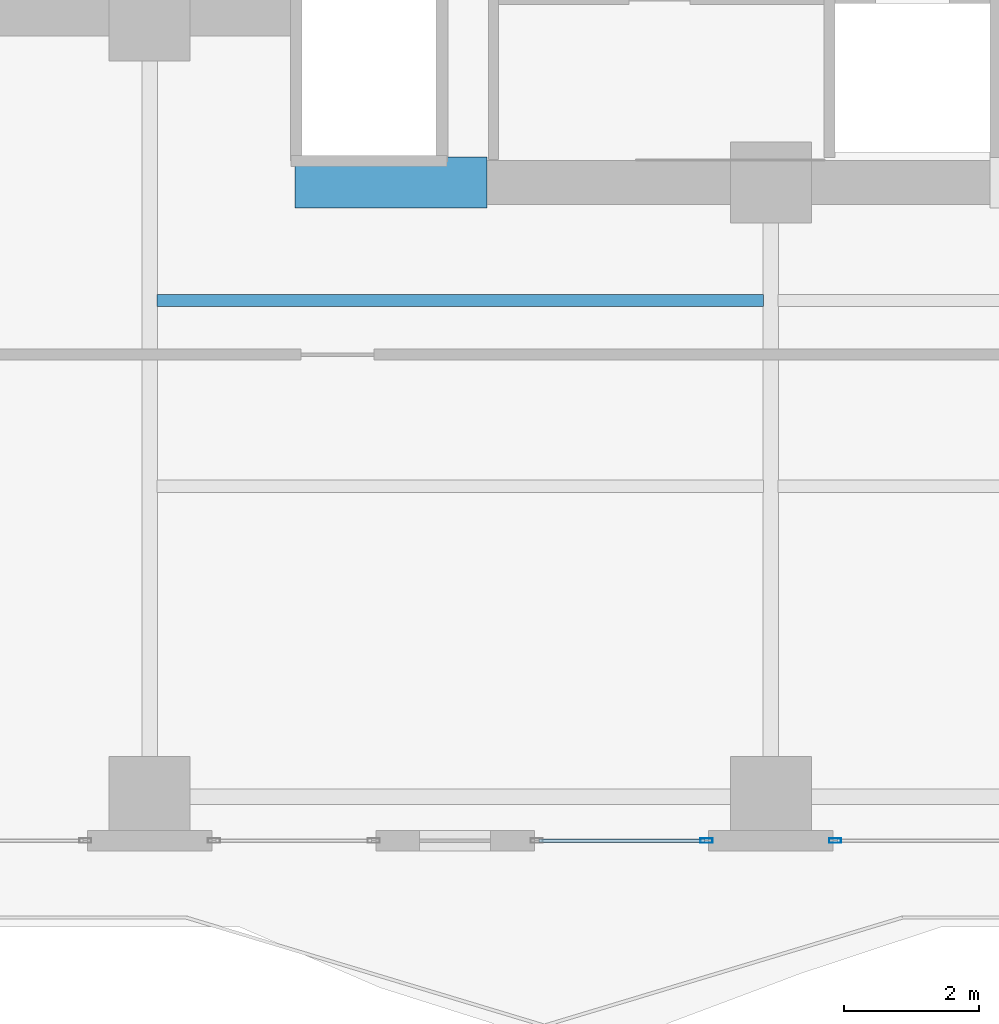
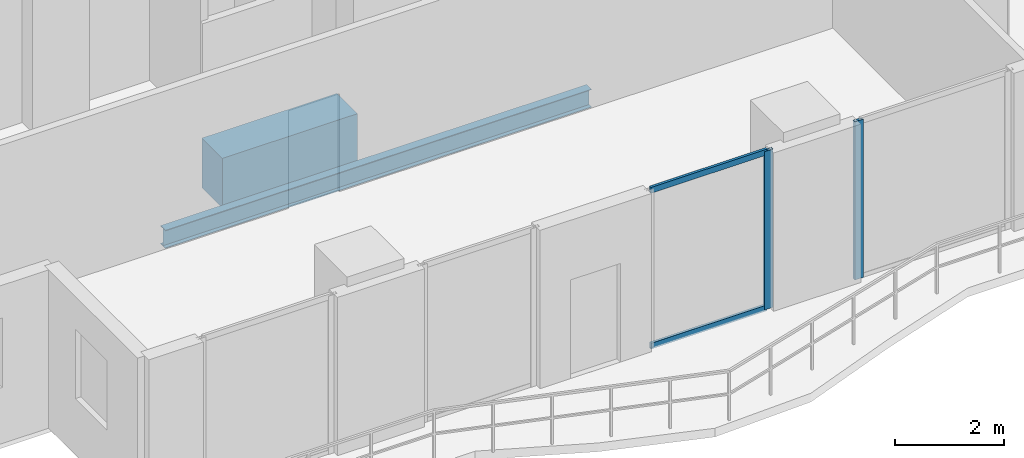
# One storey, part 5 of 33: 4 members, 2 beams, 2 elements without a shape of their own.
"""IFC4 building model written with IfcOpenShell, lengths in metres."""

from ifc_helpers import new_model, si_unit, direction, frame, origin, origin_2d, place, context, subcontext, project, spatial, rectangle, hollow_rectangle, i_section, extrude, material, layer, layer_set, material_profile, profile_set, type_object, element, aggregate, save


model = new_model("IFC4")

# Units and contexts
model_context = context("Model", 3, precision=1e-05, world=origin(), true_north=direction((0.0, 1.0)))
body_context = subcontext(model_context, "Body", "Model", "MODEL_VIEW")
ifc_project = project(units=[si_unit("LENGTHUNIT", "METRE"), si_unit("AREAUNIT", "SQUARE_METRE"), si_unit("VOLUMEUNIT", "CUBIC_METRE"), si_unit("PLANEANGLEUNIT", "RADIAN"), si_unit("MASSUNIT", "GRAM", prefix="KILO")], contexts=[model_context])

# Site, building, storey
site_placement = place(None, origin())
site = spatial("IfcSite", under=ifc_project, at=site_placement, CompositionType="ELEMENT")
building_placement = place(site_placement, origin())
building = spatial("IfcBuilding", under=site, at=building_placement, Name="Zuhayl Quay Hotel", CompositionType="ELEMENT")
storey_placement = place(building_placement, frame((0.0, 0.0, 214.89990234375)))
storey = spatial("IfcBuildingStorey", under=building, at=storey_placement, Name="L54", CompositionType="ELEMENT", Elevation=214.89990234375)

# Beams
ifc_material_1 = material(Name="Concrete C60/75", Category="concrete")
ifc_material_profile_1 = material_profile(ifc_material_1, rectangle(XDim=0.75, YDim=1.10009765625, at=origin_2d()), Name="RC750X1100")
ifc_profile_set_1 = profile_set([ifc_material_profile_1], Name="Concrete C60/75")
beam_type_1 = type_object("IfcBeamType", Name="BM_CB2_RC750", PredefinedType="T_BEAM", material=ifc_profile_set_1)
beam_1_placement = place(storey_placement, frame((-11.64990234375, 2.14990234375, -0.77001953125), z_axis=(1.0, 0.0, 0.0), x_axis=(0.0, 1.0, 0.0)))
element("IfcBeam", 1, at=beam_1_placement, inside=storey, type_object=beam_type_1, Name="L54 Core Coupling Beam SW", PredefinedType="T_BEAM", context=body_context, shape_type="SweptSolid", body=[
    extrude(rectangle(XDim=0.75, YDim=1.10009765625, at=origin_2d()), origin(), (0.0, 0.0, 1.0), 2.849853515625),
])
ifc_material_2 = material(Name="Steel ASTM A992 Grade 50", Category="steel")
ifc_material_profile_2 = material_profile(ifc_material_2, i_section(OverallWidth=0.177978515625, OverallDepth=0.406005859375, WebThickness=0.0078125, FlangeThickness=0.0126953125, at=origin_2d()), Name="W16X40")
ifc_profile_set_2 = profile_set([ifc_material_profile_2], Name="Steel ASTM A992 Grade 50")
beam_type_2 = type_object("IfcBeamType", Name="BM_J2B_W16X40", PredefinedType="JOIST", material=ifc_profile_set_2)
beam_2_placement = place(storey_placement, frame((-13.694091796875, 0.39990234375, -0.4228515625), z_axis=(1.0, 0.0, 0.0), x_axis=(0.0, 1.0, 0.0)))
element("IfcBeam", 2, at=beam_2_placement, inside=storey, type_object=beam_type_2, Name="L54 Floor Beam FJ_L54_8_1", PredefinedType="JOIST", context=body_context, shape_type="SweptSolid", body=[
    extrude(i_section(OverallWidth=0.177978515625, OverallDepth=0.406005859375, WebThickness=0.0078125, FlangeThickness=0.0126953125, at=origin_2d()), origin(), (0.0, 0.0, 1.0), 8.988037109375),
])

# Curtain wall, member
ifc_material_3 = material(Name="Anodised Aluminium 6063-T6", Category="aluminium")
ifc_layer = layer(ifc_material_3, 0.175048828125, Name="Anodised Aluminium 6063-T6", Category="aluminium")
ifc_layer_set = layer_set([ifc_layer], Name="Anodised Aluminium 6063-T6")
curtain_wall_type = type_object("IfcCurtainWallType", Name="CW_SYS_Z3", PredefinedType="USERDEFINED", material=ifc_layer_set)
curtain_wall_1_placement = place(storey_placement, origin())
curtain_wall_1 = element("IfcCurtainWall", 3, at=curtain_wall_1_placement, inside=storey, type_object=curtain_wall_type, Name="L54 Curtain Wall ENV_L54_S_CW4", ObjectType="UNITISED CURTAIN WALL", PredefinedType="USERDEFINED")
ifc_material_4 = material(Name="Black-anodised aluminium 6063-T6", Category="aluminium")
ifc_material_profile_3 = material_profile(ifc_material_4, hollow_rectangle(XDim=0.06494140625, YDim=0.179931640625, WallThickness=0.00341796875, at=origin_2d()), Name="ALU180X65")
ifc_profile_set_3 = profile_set([ifc_material_profile_3], Name="Black-anodised aluminium 6063-T6")
member_type_1 = type_object("IfcMemberType", Name="MB_CW_MUL_180", PredefinedType="MULLION", material=ifc_profile_set_3)
member_1_placement = place(storey_placement, frame((-3.6474609375, -7.60009765625, 0.0), z_axis=(0.0, 0.0, 1.0), x_axis=(0.0, -1.0, 0.0)))
member_1 = element("IfcMember", 4, at=member_1_placement, type_object=member_type_1, Name="CW-Z3 mullion 2", PredefinedType="MULLION", context=body_context, shape_type="SweptSolid", body=[
    extrude(hollow_rectangle(XDim=0.06494140625, YDim=0.179931640625, WallThickness=0.00341796875, at=origin_2d()), origin(), (0.0, 0.0, 1.0), 3.530029296875),
])
aggregate(curtain_wall_1, [member_1])

# Curtain wall, members
curtain_wall_2_placement = place(storey_placement, origin())
curtain_wall_2 = element("IfcCurtainWall", 5, at=curtain_wall_2_placement, inside=storey, type_object=curtain_wall_type, Name="L54 Curtain Wall ENV_L54_S_CW5", ObjectType="UNITISED CURTAIN WALL", PredefinedType="USERDEFINED")
member_2_placement = place(storey_placement, frame((-5.552490234375, -7.60009765625, 0.0), z_axis=(0.0, 0.0, 1.0), x_axis=(0.0, -1.0, 0.0)))
member_2 = element("IfcMember", 6, at=member_2_placement, type_object=member_type_1, Name="CW-Z3 mullion 1", PredefinedType="MULLION", context=body_context, shape_type="SweptSolid", body=[
    extrude(hollow_rectangle(XDim=0.06494140625, YDim=0.179931640625, WallThickness=0.00341796875, at=origin_2d()), origin(), (0.0, 0.0, 1.0), 3.530029296875),
])
ifc_material_profile_4 = material_profile(ifc_material_4, hollow_rectangle(XDim=0.054931640625, YDim=0.1298828125, WallThickness=0.0029296875, at=origin_2d()), Name="ALU130X55")
ifc_profile_set_4 = profile_set([ifc_material_profile_4], Name="Black-anodised aluminium 6063-T6")
member_type_2 = type_object("IfcMemberType", Name="MB_CW_TRN_130", PredefinedType="USERDEFINED", material=ifc_profile_set_4)
member_3_placement = place(storey_placement, frame((-5.5849609375, -7.60009765625, 0.027587890625), z_axis=(-1.0, 0.0, 0.0), x_axis=(0.0, -1.0, 0.0)))
member_3 = element("IfcMember", 7, at=member_3_placement, type_object=member_type_2, Name="CW-Z3 transom 1.1", ObjectType="TRANSOM", PredefinedType="USERDEFINED", context=body_context, shape_type="SweptSolid", body=[
    extrude(hollow_rectangle(XDim=0.054931640625, YDim=0.1298828125, WallThickness=0.0029296875, at=origin_2d()), origin(), (0.0, 0.0, 1.0), 2.449951171875),
])
member_4_placement = place(storey_placement, frame((-5.5849609375, -7.60009765625, 3.502685546875), z_axis=(-1.0, 0.0, 0.0), x_axis=(0.0, -1.0, 0.0)))
member_4 = element("IfcMember", 8, at=member_4_placement, type_object=member_type_2, Name="CW-Z3 transom 1.2", ObjectType="TRANSOM", PredefinedType="USERDEFINED", context=body_context, shape_type="SweptSolid", body=[
    extrude(hollow_rectangle(XDim=0.054931640625, YDim=0.1298828125, WallThickness=0.0029296875, at=origin_2d()), origin(), (0.0, 0.0, 1.0), 2.449951171875),
])
aggregate(curtain_wall_2, [member_2, member_3, member_4])

save(model, "model.ifc")
